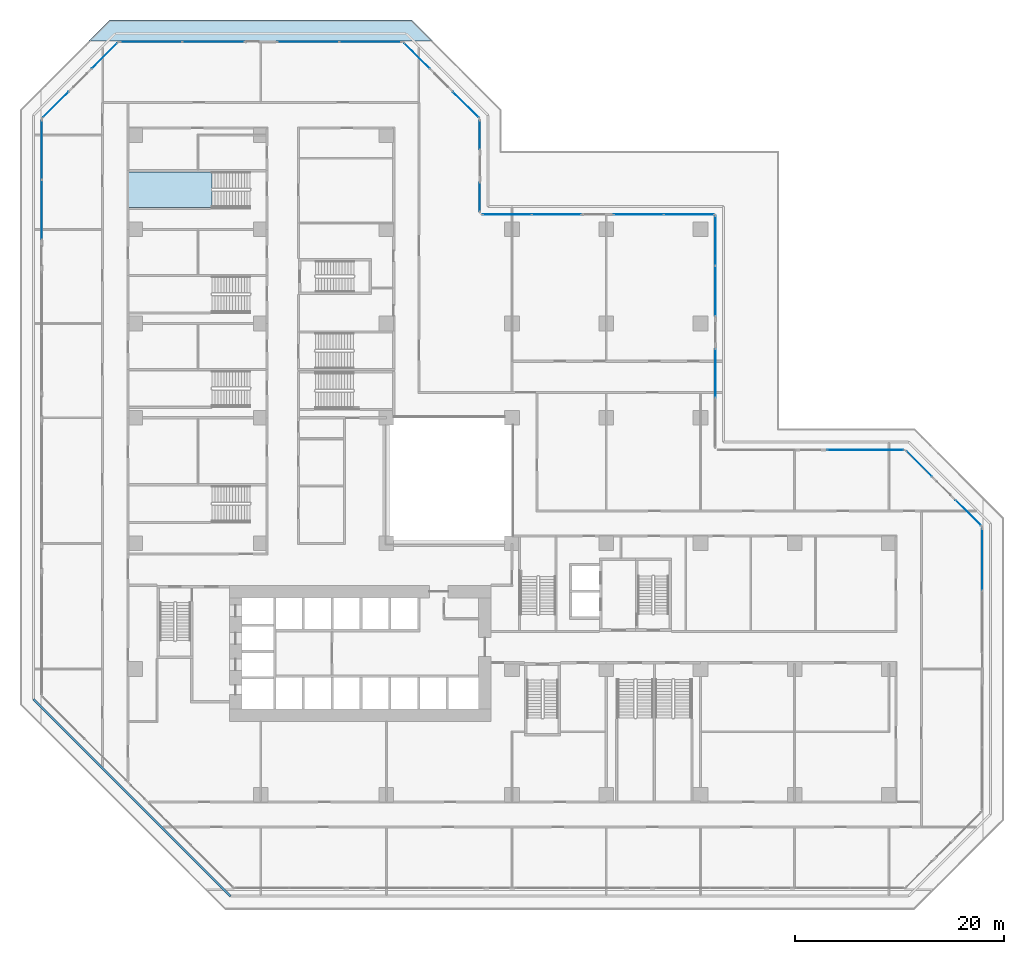
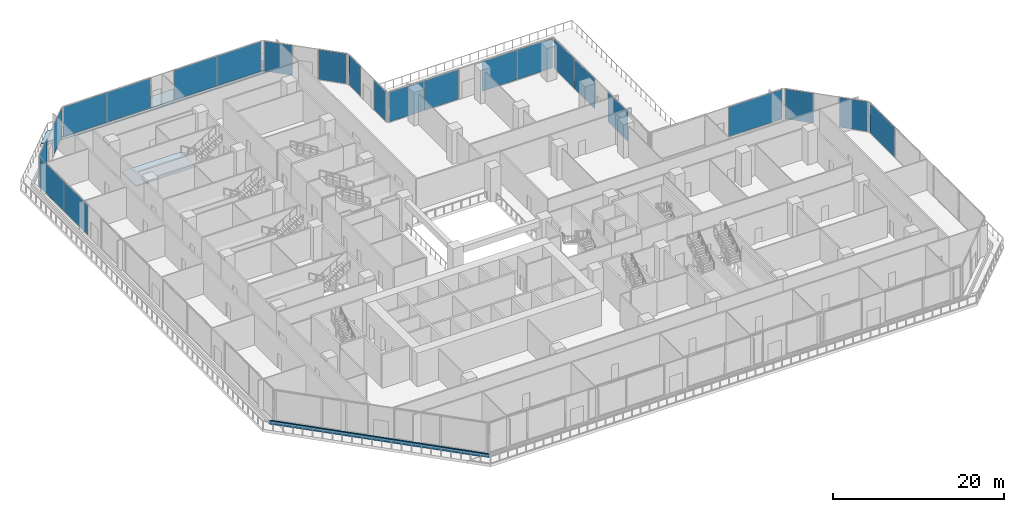
# One storey, part 11 of 26: 23 plates, 2 slabs, 1 wall, 18 elements without a shape of their own.
"""IFC4 building model written with IfcOpenShell, lengths in metres."""

import ifcopenshell
import ifcopenshell.guid

model = None  # the IFC model being written
_history = None  # IfcOwnerHistory: only IFC2X3 demands one
_inside = {}  # id of a spatial element -> (the spatial element, [elements in it])
_under = {}  # id of a project, library or spatial element -> (it, [spatial elements below it])
_declared = {}  # id of a project -> (the project, [libraries it declares])
_typed = {}  # id of a type object -> (the type object, [elements of that type])
_made_of = {}  # id of a material, layer set ... -> (it, [elements and type objects made of it])


def new_model(schema):
    """Start an empty IFC model of exactly this schema.

    Asked for "IFC4X3", IfcOpenShell would pick the latest addendum, in which some entities
    have other attributes; the version numbers below select the first issue.
    IFC2X3 requires an IfcOwnerHistory on every rooted entity: one is made here for all.
    """
    global model, _history
    if schema == "IFC4X3":
        model = ifcopenshell.file(schema_version=(4, 3, 0, 0))
    else:
        model = ifcopenshell.file(schema=schema)
    _inside.clear()
    _under.clear()
    _declared.clear()
    _typed.clear()
    _made_of.clear()
    _history = None
    if model.schema == "IFC2X3":
        org = make("IfcOrganization", Name="unknown")
        user = make(
            "IfcPersonAndOrganization",
            ThePerson=make("IfcPerson", FamilyName="unknown"),
            TheOrganization=org,
        )
        app = make(
            "IfcApplication",
            ApplicationDeveloper=org,
            Version="unknown",
            ApplicationFullName="unknown",
            ApplicationIdentifier="unknown",
        )
        _history = make(
            "IfcOwnerHistory",
            OwningUser=user,
            OwningApplication=app,
            ChangeAction="ADDED",
            CreationDate=0,
        )
    return model


def make(cls, **values):
    """One entity of the class cls with the attributes given. An attribute that is None is left unset."""
    return model.create_entity(
        cls, **{name: value for name, value in values.items() if value is not None}
    )


def rooted(cls, **values):
    """An entity with a GlobalId (a new one), such as an element, a storey or a relation."""
    return make(cls, GlobalId=ifcopenshell.guid.new(), OwnerHistory=_history, **values)


def si_unit(unit_type, name, prefix=None):
    """IfcSIUnit, for example si_unit("LENGTHUNIT", "METRE", prefix="MILLI")."""
    return make("IfcSIUnit", UnitType=unit_type, Prefix=prefix, Name=name)


def assignment(units):
    """IfcUnitAssignment: the units of a project."""
    return None if units is None else make("IfcUnitAssignment", Units=units)


def point(xyz):
    """IfcCartesianPoint."""
    return None if xyz is None else make("IfcCartesianPoint", Coordinates=xyz)


def direction(xyz):
    """IfcDirection."""
    return None if xyz is None else make("IfcDirection", DirectionRatios=xyz)


def frame(location, z_axis=None, x_axis=None):
    """IfcAxis2Placement3D, a coordinate frame: its origin and axes. An axis left out is left unset."""
    return make(
        "IfcAxis2Placement3D",
        Location=point(location),
        Axis=direction(z_axis),
        RefDirection=direction(x_axis),
    )


def frame_2d(location, x_axis=None):
    """IfcAxis2Placement2D, a coordinate frame in the plane: its origin and x axis."""
    return make(
        "IfcAxis2Placement2D", Location=point(location), RefDirection=direction(x_axis)
    )


def origin():
    """The frame at (0, 0, 0) with its axes left unset."""
    return frame((0.0, 0.0, 0.0))


def origin_2d():
    """The frame at (0, 0) in the plane with its x axis left unset."""
    return frame_2d((0.0, 0.0))


def place(relative_to, where):
    """IfcLocalPlacement: puts the frame where relative to a parent placement (None: the world)."""
    return make(
        "IfcLocalPlacement", PlacementRelTo=relative_to, RelativePlacement=where
    )


def context(
    kind, dimensions, precision=None, world=None, true_north=None, identifier=None
):
    """IfcGeometricRepresentationContext, for example the 3D "Model" context."""
    return make(
        "IfcGeometricRepresentationContext",
        ContextIdentifier=identifier,
        ContextType=kind,
        CoordinateSpaceDimension=dimensions,
        Precision=precision,
        WorldCoordinateSystem=world,
        TrueNorth=true_north,
    )


def subcontext(parent, identifier, kind, view, scale=None):
    """IfcGeometricRepresentationSubContext, for example "Body" below "Model"."""
    return make(
        "IfcGeometricRepresentationSubContext",
        ContextIdentifier=identifier,
        ContextType=kind,
        ParentContext=parent,
        TargetScale=scale,
        TargetView=view,
    )


def project(units=None, contexts=None):
    """IfcProject with its units and contexts."""
    return rooted(
        "IfcProject",
        Name="project",
        RepresentationContexts=contexts,
        UnitsInContext=assignment(units),
    )


def spatial(cls, under=None, at=None, **own):
    """A site, building, storey or space (cls), placed at a placement, below another one or the project."""
    s = rooted(cls, ObjectPlacement=at, **own)
    if under is not None:
        _under.setdefault(under.id(), (under, []))[1].append(s)
    return s


def polyline(points):
    """IfcPolyline through the points."""
    return make("IfcPolyline", Points=[point(p) for p in points])


def profile(cls, at=None, kind="AREA", **sizes):
    """A parametric profile (cls). Its sizes go by their IFC names, for example OverallWidth=200.0."""
    return make(cls, ProfileType=kind, Position=at, **sizes)


def rectangle(**sizes):
    """IfcRectangleProfileDef."""
    return profile("IfcRectangleProfileDef", **sizes)


def outline(outer, holes=None, kind="AREA"):
    """IfcArbitraryClosedProfileDef: a profile drawn as a closed curve; with holes, ...WithVoids."""
    if holes is None:
        return make("IfcArbitraryClosedProfileDef", ProfileType=kind, OuterCurve=outer)
    return make(
        "IfcArbitraryProfileDefWithVoids",
        ProfileType=kind,
        OuterCurve=outer,
        InnerCurves=holes,
    )


def extrude(swept, where, along, depth):
    """IfcExtrudedAreaSolid: the profile swept, set in the frame where, extruded along a direction by depth."""
    return make(
        "IfcExtrudedAreaSolid",
        SweptArea=swept,
        Position=where,
        ExtrudedDirection=direction(along),
        Depth=depth,
    )


def shape(context_of_items, identifier, shape_type, items):
    """IfcShapeRepresentation: the items that make up one representation, for example the "Body"."""
    return make(
        "IfcShapeRepresentation",
        ContextOfItems=context_of_items,
        RepresentationIdentifier=identifier,
        RepresentationType=shape_type,
        Items=items,
    )


def material(Name=None, Category=None):
    """IfcMaterial."""
    return make("IfcMaterial", Name=Name, Category=Category)


def layer(
    of_material, thickness, ventilated=None, Name=None, Category=None, Priority=None
):
    """IfcMaterialLayer: one layer of a wall or slab, of a material (None: an air gap)."""
    return make(
        "IfcMaterialLayer",
        Material=of_material,
        LayerThickness=thickness,
        IsVentilated=ventilated,
        Name=Name,
        Category=Category,
        Priority=Priority,
    )


def layer_set(layers, Name=None):
    """IfcMaterialLayerSet."""
    return make("IfcMaterialLayerSet", MaterialLayers=layers, LayerSetName=Name)


def made_of(thing, what):
    """Note that an element or type object is made of a material, layer set ...; save() writes the relation."""
    if what is not None:
        _made_of.setdefault(what.id(), (what, []))[1].append(thing)
    return thing


def type_object(cls, material=None, **own):
    """A type object (cls), such as IfcWallType, which elements share."""
    return made_of(rooted(cls, **own), material)


def element(
    cls,
    number,
    at=None,
    inside=None,
    cuts=None,
    type_object=None,
    material=None,
    context=None,
    identifier="Body",
    shape_type=None,
    held_by="IfcProductDefinitionShape",
    body=None,
    shapes=None,
    **own,
):
    """One element of the class cls, such as IfcWall. Its Tag is "e" and its number.

    at: its placement. inside: the storey or other place that contains it. cuts: it is an
    opening in that element (IfcRelVoidsElement). A single representation is given by context,
    identifier, shape_type and body (its items); several are given by shapes. held_by: the class
    of the entity that holds the representations. save() writes the other relations.
    """
    e = rooted(cls, Tag="e%d" % number, ObjectPlacement=at, **own)
    if body is not None:
        shapes = [shape(context, identifier, shape_type, body)]
    if shapes is not None:
        e.Representation = make(held_by, Representations=shapes)
    if inside is not None:
        _inside.setdefault(inside.id(), (inside, []))[1].append(e)
    if cuts is not None:
        rooted(
            "IfcRelVoidsElement", RelatingBuildingElement=cuts, RelatedOpeningElement=e
        )
    if type_object is not None:
        _typed.setdefault(type_object.id(), (type_object, []))[1].append(e)
    return made_of(e, material)


def aggregate(whole, parts):
    """IfcRelAggregates: a whole, such as a stair, and the parts it consists of."""
    return rooted("IfcRelAggregates", RelatingObject=whole, RelatedObjects=parts)


def save(model, path):
    """Write the relations noted so far, then the file.

    IfcRelAggregates (storeys below a building ...), IfcRelContainedInSpatialStructure (elements
    in a storey), IfcRelDefinesByType, IfcRelAssociatesMaterial and IfcRelDeclares: one each for
    every whole, place, type object, material and project.
    """
    for whole, parts in _under.values():
        aggregate(whole, parts)
    for where, things in _inside.values():
        rooted(
            "IfcRelContainedInSpatialStructure",
            RelatedElements=things,
            RelatingStructure=where,
        )
    for kind, things in _typed.values():
        rooted("IfcRelDefinesByType", RelatedObjects=things, RelatingType=kind)
    for what, things in _made_of.values():
        rooted("IfcRelAssociatesMaterial", RelatedObjects=things, RelatingMaterial=what)
    for by, libraries in _declared.values():
        rooted("IfcRelDeclares", RelatingContext=by, RelatedDefinitions=libraries)
    model.write(path)


model = new_model("IFC4")

# Units and contexts
model_context = context("Model", 3, precision=1e-05, world=origin(), true_north=direction((0.0, 1.0)))
body_context = subcontext(model_context, "Body", "Model", "MODEL_VIEW")
ifc_project = project(units=[si_unit("LENGTHUNIT", "METRE"), si_unit("AREAUNIT", "SQUARE_METRE"), si_unit("VOLUMEUNIT", "CUBIC_METRE"), si_unit("PLANEANGLEUNIT", "RADIAN"), si_unit("MASSUNIT", "GRAM", prefix="KILO")], contexts=[model_context])

# Site, building, storey
site_placement = place(None, origin())
site = spatial("IfcSite", under=ifc_project, at=site_placement, CompositionType="ELEMENT")
building_placement = place(site_placement, origin())
building = spatial("IfcBuilding", under=site, at=building_placement, Name="Chenar Terraces", CompositionType="ELEMENT")
storey_placement = place(building_placement, frame((0.0, 0.0, 16.800048828125)))
storey = spatial("IfcBuildingStorey", under=building, at=storey_placement, Name="L03", CompositionType="ELEMENT", Elevation=16.800048828125)

# Stair, slab
ifc_material_1 = material(Name="Reinforced concrete C40/50", Category="concrete")
stair_type = type_object("IfcStairType", Name="Core stair 1400 half-turn", PredefinedType="HALF_TURN_STAIR", material=ifc_material_1)
placement = place(storey_placement, origin())
stair = element("IfcStair", 1, at=placement, inside=storey, type_object=stair_type, Name="L03 Exit stair PS3", PredefinedType="HALF_TURN_STAIR")
ifc_material_2 = material(Name="Reinforced concrete C40/50", Category="concrete")
ifc_layer_1 = layer(ifc_material_2, 0.199951171875)
ifc_layer_set_1 = layer_set([ifc_layer_1], Name="Reinforced concrete C40/50")
slab_type_1 = type_object("IfcSlabType", Name="Core stair landing 200", PredefinedType="LANDING", material=ifc_layer_set_1)
slab_1_placement = place(storey_placement, frame((0.0, 0.0, 2.199951171875)))
slab_1 = element("IfcSlab", 2, at=slab_1_placement, type_object=slab_type_1, Name="PS3 landing 1", PredefinedType="LANDING", context=body_context, shape_type="SweptSolid", body=[
    extrude(outline(polyline([(7.344970703125, 59.489990234375), (-0.699951171875, 59.489990234375), (-0.699951171875, 56.110107421875), (7.344970703125, 56.110107421875), (7.344970703125, 59.489990234375)])), origin(), (0.0, 0.0, 1.0), 0.199951171875),
])
aggregate(stair, [slab_1])

# Curtain wall, plate
ifc_material_3 = material(Name="Aluminium framed glazing", Category="aluminium")
ifc_layer_2 = layer(ifc_material_3, 0.14990234375)
ifc_layer_set_2 = layer_set([ifc_layer_2], Name="Aluminium framed glazing")
curtain_wall_type = type_object("IfcCurtainWallType", Name="School curtain wall", PredefinedType="NOTDEFINED", material=ifc_layer_set_2)
curtain_wall_1 = element("IfcCurtainWall", 3, at=placement, inside=storey, type_object=curtain_wall_type, Name="School curtain wall", PredefinedType="NOTDEFINED")
ifc_material_4 = material(Name="Low emissivity laminated glass, solar control coating", Category="glass")
ifc_layer_3 = layer(ifc_material_4, 0.031982421875)
ifc_layer_set_3 = layer_set([ifc_layer_3], Name="Low emissivity laminated glass, solar control coating")
plate_type = type_object("IfcPlateType", Name="School glazing panel 32", PredefinedType="CURTAIN_PANEL", material=ifc_layer_set_3)
plate_1_placement = place(storey_placement, frame((32.925048828125, 57.095458984375, 0.06982421875), z_axis=(0.0, 0.0, 1.0), x_axis=(0.0, 1.0, 0.0)))
plate_1 = element("IfcPlate", 4, at=plate_1_placement, type_object=plate_type, Name="CW2-01c0 panel 1.1", PredefinedType="CURTAIN_PANEL", context=body_context, shape_type="SweptSolid", body=[
    extrude(rectangle(XDim=2.750732421875, YDim=0.031982421875, at=origin_2d()), origin(), (0.0, 0.0, 1.0), 4.260009765625),
])
aggregate(curtain_wall_1, [plate_1])

curtain_wall_2 = element("IfcCurtainWall", 5, at=placement, inside=storey, type_object=curtain_wall_type, Name="School curtain wall", PredefinedType="NOTDEFINED")
plate_2_placement = place(storey_placement, frame((32.925048828125, 63.01123046875, 0.06982421875), z_axis=(0.0, 0.0, 1.0), x_axis=(0.0, 1.0, 0.0)))
plate_2 = element("IfcPlate", 6, at=plate_2_placement, type_object=plate_type, Name="CW2-01c1 panel 1.1", PredefinedType="CURTAIN_PANEL", context=body_context, shape_type="SweptSolid", body=[
    extrude(rectangle(XDim=2.750732421875, YDim=0.031982421875, at=origin_2d()), origin(), (0.0, 0.0, 1.0), 4.260009765625),
])
aggregate(curtain_wall_2, [plate_2])

curtain_wall_3 = element("IfcCurtainWall", 7, at=placement, inside=storey, type_object=curtain_wall_type, Name="School curtain wall", PredefinedType="NOTDEFINED")
plate_3_placement = place(storey_placement, frame((31.580322265625, 65.920166015625, 0.06982421875), z_axis=(0.0, 0.0, 1.0), x_axis=(-0.707106781187, 0.707106781187, 0.0)))
plate_3 = element("IfcPlate", 8, at=plate_3_placement, type_object=plate_type, Name="CW2-02c0 panel 1.1", PredefinedType="CURTAIN_PANEL", context=body_context, shape_type="SweptSolid", body=[
    extrude(rectangle(XDim=3.425537109375, YDim=0.031982421875, at=origin_2d()), origin(), (0.0, 0.0, 1.0), 4.260009765625),
])
aggregate(curtain_wall_3, [plate_3])

curtain_wall_4 = element("IfcCurtainWall", 9, at=placement, inside=storey, type_object=curtain_wall_type, Name="School curtain wall", PredefinedType="NOTDEFINED")
plate_4_placement = place(storey_placement, frame((26.920166015625, 70.580322265625, 0.06982421875), z_axis=(0.0, 0.0, 1.0), x_axis=(-0.707106781187, 0.707106781187, 0.0)))
plate_4 = element("IfcPlate", 10, at=plate_4_placement, type_object=plate_type, Name="CW2-02c1 panel 1.1", PredefinedType="CURTAIN_PANEL", context=body_context, shape_type="SweptSolid", body=[
    extrude(rectangle(XDim=3.425537109375, YDim=0.031982421875, at=origin_2d()), origin(), (0.0, 0.0, 1.0), 4.260009765625),
])
aggregate(curtain_wall_4, [plate_4])

# Curtain wall, plates
curtain_wall_5 = element("IfcCurtainWall", 11, at=placement, inside=storey, type_object=curtain_wall_type, Name="School curtain wall", PredefinedType="NOTDEFINED")
plate_5_placement = place(storey_placement, frame((22.453125, 71.925048828125, 0.06982421875), z_axis=(0.0, 0.0, 1.0), x_axis=(-1.0, 0.0, 0.0)))
plate_5 = element("IfcPlate", 12, at=plate_5_placement, type_object=plate_type, Name="CW2-03c0 panel 1.1", PredefinedType="CURTAIN_PANEL", context=body_context, shape_type="SweptSolid", body=[
    extrude(rectangle(XDim=5.866943359375, YDim=0.031982421875, at=origin_2d()), origin(), (0.0, 0.0, 1.0), 4.260009765625),
])
plate_6_placement = place(storey_placement, frame((16.51611328125, 71.925048828125, 0.06982421875), z_axis=(0.0, 0.0, 1.0), x_axis=(-1.0, 0.0, 0.0)))
plate_6 = element("IfcPlate", 13, at=plate_6_placement, type_object=plate_type, Name="CW2-03c0 panel 2.1", PredefinedType="CURTAIN_PANEL", context=body_context, shape_type="SweptSolid", body=[
    extrude(rectangle(XDim=5.866943359375, YDim=0.031982421875, at=origin_2d()), origin(), (0.0, 0.0, 1.0), 4.260009765625),
])
aggregate(curtain_wall_5, [plate_5, plate_6])

curtain_wall_6 = element("IfcCurtainWall", 14, at=placement, inside=storey, type_object=curtain_wall_type, Name="School curtain wall", PredefinedType="NOTDEFINED")
plate_7_placement = place(storey_placement, frame((7.48388671875, 71.925048828125, 0.06982421875), z_axis=(0.0, 0.0, 1.0), x_axis=(-1.0, 0.0, 0.0)))
plate_7 = element("IfcPlate", 15, at=plate_7_placement, type_object=plate_type, Name="CW2-03c1 panel 1.1", PredefinedType="CURTAIN_PANEL", context=body_context, shape_type="SweptSolid", body=[
    extrude(rectangle(XDim=5.866943359375, YDim=0.031982421875, at=origin_2d()), origin(), (0.0, 0.0, 1.0), 4.260009765625),
])
plate_8_placement = place(storey_placement, frame((1.546875, 71.925048828125, 0.06982421875), z_axis=(0.0, 0.0, 1.0), x_axis=(-1.0, 0.0, 0.0)))
plate_8 = element("IfcPlate", 16, at=plate_8_placement, type_object=plate_type, Name="CW2-03c1 panel 2.1", PredefinedType="CURTAIN_PANEL", context=body_context, shape_type="SweptSolid", body=[
    extrude(rectangle(XDim=5.866943359375, YDim=0.031982421875, at=origin_2d()), origin(), (0.0, 0.0, 1.0), 4.260009765625),
])
aggregate(curtain_wall_6, [plate_7, plate_8])

# Curtain wall, plate
curtain_wall_7 = element("IfcCurtainWall", 17, at=placement, inside=storey, type_object=curtain_wall_type, Name="School curtain wall", PredefinedType="NOTDEFINED")
plate_9_placement = place(storey_placement, frame((-2.920166015625, 70.580322265625, 0.06982421875), z_axis=(0.0, 0.0, 1.0), x_axis=(-0.707106781187, -0.707106781187, 0.0)))
plate_9 = element("IfcPlate", 18, at=plate_9_placement, type_object=plate_type, Name="CW2-04c0 panel 1.1", PredefinedType="CURTAIN_PANEL", context=body_context, shape_type="SweptSolid", body=[
    extrude(rectangle(XDim=3.425537109375, YDim=0.031982421875, at=origin_2d()), origin(), (0.0, 0.0, 1.0), 4.260009765625),
])
aggregate(curtain_wall_7, [plate_9])

curtain_wall_8 = element("IfcCurtainWall", 19, at=placement, inside=storey, type_object=curtain_wall_type, Name="School curtain wall", PredefinedType="NOTDEFINED")
plate_10_placement = place(storey_placement, frame((-7.580322265625, 65.920166015625, 0.06982421875), z_axis=(0.0, 0.0, 1.0), x_axis=(-0.707106781187, -0.707106781187, 0.0)))
plate_10 = element("IfcPlate", 20, at=plate_10_placement, type_object=plate_type, Name="CW2-04c1 panel 1.1", PredefinedType="CURTAIN_PANEL", context=body_context, shape_type="SweptSolid", body=[
    extrude(rectangle(XDim=3.425537109375, YDim=0.031982421875, at=origin_2d()), origin(), (0.0, 0.0, 1.0), 4.260009765625),
])
aggregate(curtain_wall_8, [plate_10])

# Curtain wall, plates
curtain_wall_9 = element("IfcCurtainWall", 21, at=placement, inside=storey, type_object=curtain_wall_type, Name="School curtain wall", PredefinedType="NOTDEFINED")
plate_11_placement = place(storey_placement, frame((-8.925048828125, 61.57275390625, 0.06982421875), z_axis=(0.0, 0.0, 1.0), x_axis=(0.0, -1.0, 0.0)))
plate_11 = element("IfcPlate", 22, at=plate_11_placement, type_object=plate_type, Name="CW2-05c0 panel 1.1", PredefinedType="CURTAIN_PANEL", context=body_context, shape_type="SweptSolid", body=[
    extrude(rectangle(XDim=5.6279296875, YDim=0.031982421875, at=origin_2d()), origin(), (0.0, 0.0, 1.0), 4.260009765625),
])
plate_12_placement = place(storey_placement, frame((-8.925048828125, 55.874755859375, 0.06982421875), z_axis=(0.0, 0.0, 1.0), x_axis=(0.0, -1.0, 0.0)))
plate_12 = element("IfcPlate", 23, at=plate_12_placement, type_object=plate_type, Name="CW2-05c0 panel 2.1", PredefinedType="CURTAIN_PANEL", context=body_context, shape_type="SweptSolid", body=[
    extrude(rectangle(XDim=5.6279296875, YDim=0.031982421875, at=origin_2d()), origin(), (0.0, 0.0, 1.0), 4.260009765625),
])
aggregate(curtain_wall_9, [plate_11, plate_12])

# Curtain wall, plate
curtain_wall_10 = element("IfcCurtainWall", 24, at=placement, inside=storey, type_object=curtain_wall_type, Name="School curtain wall", PredefinedType="NOTDEFINED")
plate_13_placement = place(storey_placement, frame((80.925048828125, 22.453125, 0.06982421875), z_axis=(0.0, 0.0, 1.0), x_axis=(0.0, 1.0, 0.0)))
plate_13 = element("IfcPlate", 25, at=plate_13_placement, type_object=plate_type, Name="CW2-09c1 panel 2.1", PredefinedType="CURTAIN_PANEL", context=body_context, shape_type="SweptSolid", body=[
    extrude(rectangle(XDim=5.866943359375, YDim=0.031982421875, at=origin_2d()), origin(), (0.0, 0.0, 1.0), 4.260009765625),
])
aggregate(curtain_wall_10, [plate_13])

curtain_wall_11 = element("IfcCurtainWall", 26, at=placement, inside=storey, type_object=curtain_wall_type, Name="School curtain wall", PredefinedType="NOTDEFINED")
plate_14_placement = place(storey_placement, frame((79.580322265625, 26.920166015625, 0.06982421875), z_axis=(0.0, 0.0, 1.0), x_axis=(-0.707106781187, 0.707106781187, 0.0)))
plate_14 = element("IfcPlate", 27, at=plate_14_placement, type_object=plate_type, Name="CW2-10c0 panel 1.1", PredefinedType="CURTAIN_PANEL", context=body_context, shape_type="SweptSolid", body=[
    extrude(rectangle(XDim=3.425537109375, YDim=0.031982421875, at=origin_2d()), origin(), (0.0, 0.0, 1.0), 4.260009765625),
])
aggregate(curtain_wall_11, [plate_14])

curtain_wall_12 = element("IfcCurtainWall", 28, at=placement, inside=storey, type_object=curtain_wall_type, Name="School curtain wall", PredefinedType="NOTDEFINED")
plate_15_placement = place(storey_placement, frame((74.920166015625, 31.580322265625, 0.06982421875), z_axis=(0.0, 0.0, 1.0), x_axis=(-0.707106781187, 0.707106781187, 0.0)))
plate_15 = element("IfcPlate", 29, at=plate_15_placement, type_object=plate_type, Name="CW2-10c1 panel 1.1", PredefinedType="CURTAIN_PANEL", context=body_context, shape_type="SweptSolid", body=[
    extrude(rectangle(XDim=3.425537109375, YDim=0.031982421875, at=origin_2d()), origin(), (0.0, 0.0, 1.0), 4.260009765625),
])
aggregate(curtain_wall_12, [plate_15])

curtain_wall_13 = element("IfcCurtainWall", 30, at=placement, inside=storey, type_object=curtain_wall_type, Name="School curtain wall", PredefinedType="NOTDEFINED")
plate_16_placement = place(storey_placement, frame((69.76123046875, 32.925048828125, 0.06982421875), z_axis=(0.0, 0.0, 1.0), x_axis=(-1.0, 0.0, 0.0)))
plate_16 = element("IfcPlate", 31, at=plate_16_placement, type_object=plate_type, Name="CW2-11c0 panel 1.1", PredefinedType="CURTAIN_PANEL", context=body_context, shape_type="SweptSolid", body=[
    extrude(rectangle(XDim=7.250732421875, YDim=0.031982421875, at=origin_2d()), origin(), (0.0, 0.0, 1.0), 4.260009765625),
])
aggregate(curtain_wall_13, [plate_16])

curtain_wall_14 = element("IfcCurtainWall", 32, at=placement, inside=storey, type_object=curtain_wall_type, Name="School curtain wall", PredefinedType="NOTDEFINED")
plate_17_placement = place(storey_placement, frame((55.425048828125, 40.248046875, 0.06982421875), z_axis=(0.0, 0.0, 1.0), x_axis=(0.0, 1.0, 0.0)))
plate_17 = element("IfcPlate", 33, at=plate_17_placement, type_object=plate_type, Name="CW2-12c0 panel 2.1", PredefinedType="CURTAIN_PANEL", context=body_context, shape_type="SweptSolid", body=[
    extrude(rectangle(XDim=4.638671875, YDim=0.031982421875, at=origin_2d()), origin(), (0.0, 0.0, 1.0), 4.260009765625),
])
aggregate(curtain_wall_14, [plate_17])

# Curtain wall, plates
curtain_wall_15 = element("IfcCurtainWall", 34, at=placement, inside=storey, type_object=curtain_wall_type, Name="School curtain wall", PredefinedType="NOTDEFINED")
plate_18_placement = place(storey_placement, frame((55.425048828125, 48.101806640625, 0.06982421875), z_axis=(0.0, 0.0, 1.0), x_axis=(0.0, 1.0, 0.0)))
plate_18 = element("IfcPlate", 35, at=plate_18_placement, type_object=plate_type, Name="CW2-12c1 panel 1.1", PredefinedType="CURTAIN_PANEL", context=body_context, shape_type="SweptSolid", body=[
    extrude(rectangle(XDim=4.73876953125, YDim=0.031982421875, at=origin_2d()), origin(), (0.0, 0.0, 1.0), 4.260009765625),
])
plate_19_placement = place(storey_placement, frame((55.425048828125, 52.91064453125, 0.06982421875), z_axis=(0.0, 0.0, 1.0), x_axis=(0.0, 1.0, 0.0)))
plate_19 = element("IfcPlate", 36, at=plate_19_placement, type_object=plate_type, Name="CW2-12c1 panel 2.1", PredefinedType="CURTAIN_PANEL", context=body_context, shape_type="SweptSolid", body=[
    extrude(rectangle(XDim=4.73876953125, YDim=0.031982421875, at=origin_2d()), origin(), (0.0, 0.0, 1.0), 4.260009765625),
])
aggregate(curtain_wall_15, [plate_18, plate_19])

curtain_wall_16 = element("IfcCurtainWall", 37, at=placement, inside=storey, type_object=curtain_wall_type, Name="School curtain wall", PredefinedType="NOTDEFINED")
plate_20_placement = place(storey_placement, frame((52.91064453125, 55.425048828125, 0.06982421875), z_axis=(0.0, 0.0, 1.0), x_axis=(-1.0, 0.0, 0.0)))
plate_20 = element("IfcPlate", 38, at=plate_20_placement, type_object=plate_type, Name="CW2-13c0 panel 1.1", PredefinedType="CURTAIN_PANEL", context=body_context, shape_type="SweptSolid", body=[
    extrude(rectangle(XDim=4.73876953125, YDim=0.031982421875, at=origin_2d()), origin(), (0.0, 0.0, 1.0), 4.260009765625),
])
plate_21_placement = place(storey_placement, frame((48.101806640625, 55.425048828125, 0.06982421875), z_axis=(0.0, 0.0, 1.0), x_axis=(-1.0, 0.0, 0.0)))
plate_21 = element("IfcPlate", 39, at=plate_21_placement, type_object=plate_type, Name="CW2-13c0 panel 2.1", PredefinedType="CURTAIN_PANEL", context=body_context, shape_type="SweptSolid", body=[
    extrude(rectangle(XDim=4.73876953125, YDim=0.031982421875, at=origin_2d()), origin(), (0.0, 0.0, 1.0), 4.260009765625),
])
aggregate(curtain_wall_16, [plate_20, plate_21])

curtain_wall_17 = element("IfcCurtainWall", 40, at=placement, inside=storey, type_object=curtain_wall_type, Name="School curtain wall", PredefinedType="NOTDEFINED")
plate_22_placement = place(storey_placement, frame((40.248046875, 55.425048828125, 0.06982421875), z_axis=(0.0, 0.0, 1.0), x_axis=(-1.0, 0.0, 0.0)))
plate_22 = element("IfcPlate", 41, at=plate_22_placement, type_object=plate_type, Name="CW2-13c1 panel 1.1", PredefinedType="CURTAIN_PANEL", context=body_context, shape_type="SweptSolid", body=[
    extrude(rectangle(XDim=4.638671875, YDim=0.031982421875, at=origin_2d()), origin(), (0.0, 0.0, 1.0), 4.260009765625),
])
plate_23_placement = place(storey_placement, frame((35.539306640625, 55.425048828125, 0.06982421875), z_axis=(0.0, 0.0, 1.0), x_axis=(-1.0, 0.0, 0.0)))
plate_23 = element("IfcPlate", 42, at=plate_23_placement, type_object=plate_type, Name="CW2-13c1 panel 2.1", PredefinedType="CURTAIN_PANEL", context=body_context, shape_type="SweptSolid", body=[
    extrude(rectangle(XDim=4.638671875, YDim=0.031982421875, at=origin_2d()), origin(), (0.0, 0.0, 1.0), 4.260009765625),
])
aggregate(curtain_wall_17, [plate_22, plate_23])

# Slab
ifc_material_5 = material(Name="Concrete C40/50", Category="concrete")
ifc_layer_4 = layer(ifc_material_5, 0.39990234375)
ifc_layer_set_4 = layer_set([ifc_layer_4], Name="Concrete C40/50")
slab_type_2 = type_object("IfcSlabType", Name="Terrace slab 400 Concrete C40/50", PredefinedType="FLOOR", material=ifc_layer_set_4)
slab_2_placement = place(storey_placement, frame((0.0, 0.0, -0.400146484375)))
element("IfcSlab", 43, at=slab_2_placement, inside=storey, type_object=slab_type_2, Name="Terrace slab L03 4.1", PredefinedType="FLOOR", context=body_context, shape_type="SweptSolid", body=[
    extrude(outline(polyline([(-2.43505859375, 74.0), (26.43505859375, 74.0), (28.43505859375, 72.0), (25.606689453125, 72.0), (-1.606689453125, 72.0), (-4.43505859375, 72.0), (-2.43505859375, 74.0)])), origin(), (0.0, 0.0, 1.0), 0.400146484375),
])

# Wall
ifc_material_6 = material(Name="Terracotta cladding on insulated backing", Category="masonry")
ifc_layer_5 = layer(ifc_material_6, 0.199951171875)
ifc_layer_set_5 = layer_set([ifc_layer_5], Name="Terracotta cladding on insulated backing")
wall_type = type_object("IfcWallType", Name="Terrace parapet upstand 200", PredefinedType="PARAPET", material=ifc_layer_set_5)
wall_placement = place(storey_placement, frame((9.103515625, -9.699951171875, 0.0), z_axis=(0.0, 0.0, 1.0), x_axis=(-0.707106781187, 0.707106781187, 0.0)))
element("IfcWall", 44, at=wall_placement, inside=storey, type_object=wall_type, Name="Terrace parapet", PredefinedType="PARAPET", context=body_context, shape_type="SweptSolid", body=[
    extrude(rectangle(XDim=26.592041015625, YDim=0.199951171875, at=frame_2d((13.2958984375, 0.0))), origin(), (0.0, 0.0, 1.0), 0.5),
])

save(model, "model.ifc")
